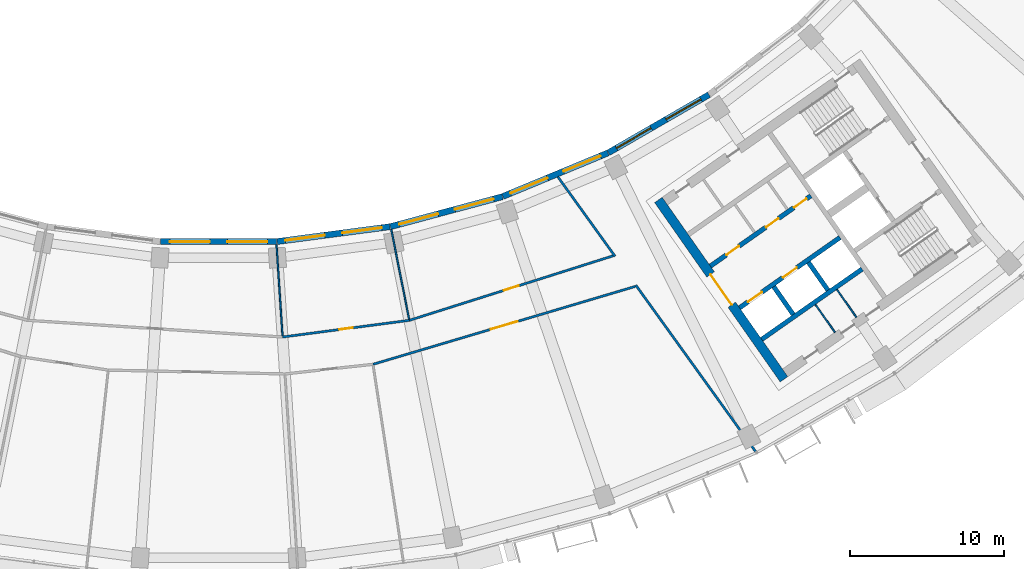
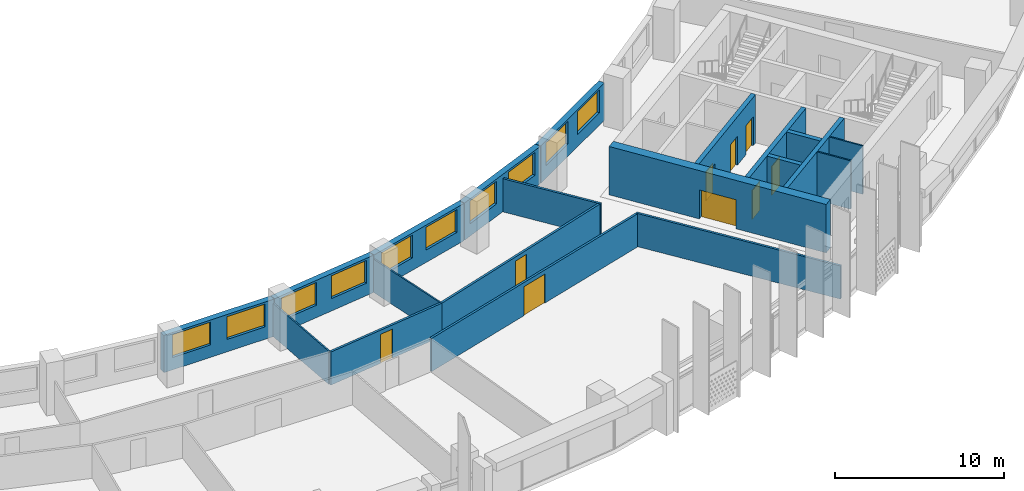
# One storey, part 6 of 27: 20 walls, 10 windows, 9 doors, 19 openings.
"""IFC4 building model written with IfcOpenShell, lengths in metres."""

import ifcopenshell
import ifcopenshell.guid

model = None  # the IFC model being written
_history = None  # IfcOwnerHistory: only IFC2X3 demands one
_inside = {}  # id of a spatial element -> (the spatial element, [elements in it])
_under = {}  # id of a project, library or spatial element -> (it, [spatial elements below it])
_declared = {}  # id of a project -> (the project, [libraries it declares])
_typed = {}  # id of a type object -> (the type object, [elements of that type])
_made_of = {}  # id of a material, layer set ... -> (it, [elements and type objects made of it])


def new_model(schema):
    """Start an empty IFC model of exactly this schema.

    Asked for "IFC4X3", IfcOpenShell would pick the latest addendum, in which some entities
    have other attributes; the version numbers below select the first issue.
    IFC2X3 requires an IfcOwnerHistory on every rooted entity: one is made here for all.
    """
    global model, _history
    if schema == "IFC4X3":
        model = ifcopenshell.file(schema_version=(4, 3, 0, 0))
    else:
        model = ifcopenshell.file(schema=schema)
    _inside.clear()
    _under.clear()
    _declared.clear()
    _typed.clear()
    _made_of.clear()
    _history = None
    if model.schema == "IFC2X3":
        org = make("IfcOrganization", Name="unknown")
        user = make(
            "IfcPersonAndOrganization",
            ThePerson=make("IfcPerson", FamilyName="unknown"),
            TheOrganization=org,
        )
        app = make(
            "IfcApplication",
            ApplicationDeveloper=org,
            Version="unknown",
            ApplicationFullName="unknown",
            ApplicationIdentifier="unknown",
        )
        _history = make(
            "IfcOwnerHistory",
            OwningUser=user,
            OwningApplication=app,
            ChangeAction="ADDED",
            CreationDate=0,
        )
    return model


def make(cls, **values):
    """One entity of the class cls with the attributes given. An attribute that is None is left unset."""
    return model.create_entity(
        cls, **{name: value for name, value in values.items() if value is not None}
    )


def rooted(cls, **values):
    """An entity with a GlobalId (a new one), such as an element, a storey or a relation."""
    return make(cls, GlobalId=ifcopenshell.guid.new(), OwnerHistory=_history, **values)


def si_unit(unit_type, name, prefix=None):
    """IfcSIUnit, for example si_unit("LENGTHUNIT", "METRE", prefix="MILLI")."""
    return make("IfcSIUnit", UnitType=unit_type, Prefix=prefix, Name=name)


def assignment(units):
    """IfcUnitAssignment: the units of a project."""
    return None if units is None else make("IfcUnitAssignment", Units=units)


def point(xyz):
    """IfcCartesianPoint."""
    return None if xyz is None else make("IfcCartesianPoint", Coordinates=xyz)


def direction(xyz):
    """IfcDirection."""
    return None if xyz is None else make("IfcDirection", DirectionRatios=xyz)


def frame(location, z_axis=None, x_axis=None):
    """IfcAxis2Placement3D, a coordinate frame: its origin and axes. An axis left out is left unset."""
    return make(
        "IfcAxis2Placement3D",
        Location=point(location),
        Axis=direction(z_axis),
        RefDirection=direction(x_axis),
    )


def frame_2d(location, x_axis=None):
    """IfcAxis2Placement2D, a coordinate frame in the plane: its origin and x axis."""
    return make(
        "IfcAxis2Placement2D", Location=point(location), RefDirection=direction(x_axis)
    )


def origin():
    """The frame at (0, 0, 0) with its axes left unset."""
    return frame((0.0, 0.0, 0.0))


def place(relative_to, where):
    """IfcLocalPlacement: puts the frame where relative to a parent placement (None: the world)."""
    return make(
        "IfcLocalPlacement", PlacementRelTo=relative_to, RelativePlacement=where
    )


def context(
    kind, dimensions, precision=None, world=None, true_north=None, identifier=None
):
    """IfcGeometricRepresentationContext, for example the 3D "Model" context."""
    return make(
        "IfcGeometricRepresentationContext",
        ContextIdentifier=identifier,
        ContextType=kind,
        CoordinateSpaceDimension=dimensions,
        Precision=precision,
        WorldCoordinateSystem=world,
        TrueNorth=true_north,
    )


def subcontext(parent, identifier, kind, view, scale=None):
    """IfcGeometricRepresentationSubContext, for example "Body" below "Model"."""
    return make(
        "IfcGeometricRepresentationSubContext",
        ContextIdentifier=identifier,
        ContextType=kind,
        ParentContext=parent,
        TargetScale=scale,
        TargetView=view,
    )


def project(units=None, contexts=None):
    """IfcProject with its units and contexts."""
    return rooted(
        "IfcProject",
        Name="project",
        RepresentationContexts=contexts,
        UnitsInContext=assignment(units),
    )


def spatial(cls, under=None, at=None, **own):
    """A site, building, storey or space (cls), placed at a placement, below another one or the project."""
    s = rooted(cls, ObjectPlacement=at, **own)
    if under is not None:
        _under.setdefault(under.id(), (under, []))[1].append(s)
    return s


def profile(cls, at=None, kind="AREA", **sizes):
    """A parametric profile (cls). Its sizes go by their IFC names, for example OverallWidth=200.0."""
    return make(cls, ProfileType=kind, Position=at, **sizes)


def rectangle(**sizes):
    """IfcRectangleProfileDef."""
    return profile("IfcRectangleProfileDef", **sizes)


def extrude(swept, where, along, depth):
    """IfcExtrudedAreaSolid: the profile swept, set in the frame where, extruded along a direction by depth."""
    return make(
        "IfcExtrudedAreaSolid",
        SweptArea=swept,
        Position=where,
        ExtrudedDirection=direction(along),
        Depth=depth,
    )


def shape(context_of_items, identifier, shape_type, items):
    """IfcShapeRepresentation: the items that make up one representation, for example the "Body"."""
    return make(
        "IfcShapeRepresentation",
        ContextOfItems=context_of_items,
        RepresentationIdentifier=identifier,
        RepresentationType=shape_type,
        Items=items,
    )


def material(Name=None, Category=None):
    """IfcMaterial."""
    return make("IfcMaterial", Name=Name, Category=Category)


def layer(
    of_material, thickness, ventilated=None, Name=None, Category=None, Priority=None
):
    """IfcMaterialLayer: one layer of a wall or slab, of a material (None: an air gap)."""
    return make(
        "IfcMaterialLayer",
        Material=of_material,
        LayerThickness=thickness,
        IsVentilated=ventilated,
        Name=Name,
        Category=Category,
        Priority=Priority,
    )


def layer_set(layers, Name=None):
    """IfcMaterialLayerSet."""
    return make("IfcMaterialLayerSet", MaterialLayers=layers, LayerSetName=Name)


def made_of(thing, what):
    """Note that an element or type object is made of a material, layer set ...; save() writes the relation."""
    if what is not None:
        _made_of.setdefault(what.id(), (what, []))[1].append(thing)
    return thing


def type_object(cls, material=None, **own):
    """A type object (cls), such as IfcWallType, which elements share."""
    return made_of(rooted(cls, **own), material)


def element(
    cls,
    number,
    at=None,
    inside=None,
    cuts=None,
    type_object=None,
    material=None,
    context=None,
    identifier="Body",
    shape_type=None,
    held_by="IfcProductDefinitionShape",
    body=None,
    shapes=None,
    **own,
):
    """One element of the class cls, such as IfcWall. Its Tag is "e" and its number.

    at: its placement. inside: the storey or other place that contains it. cuts: it is an
    opening in that element (IfcRelVoidsElement). A single representation is given by context,
    identifier, shape_type and body (its items); several are given by shapes. held_by: the class
    of the entity that holds the representations. save() writes the other relations.
    """
    e = rooted(cls, Tag="e%d" % number, ObjectPlacement=at, **own)
    if body is not None:
        shapes = [shape(context, identifier, shape_type, body)]
    if shapes is not None:
        e.Representation = make(held_by, Representations=shapes)
    if inside is not None:
        _inside.setdefault(inside.id(), (inside, []))[1].append(e)
    if cuts is not None:
        rooted(
            "IfcRelVoidsElement", RelatingBuildingElement=cuts, RelatedOpeningElement=e
        )
    if type_object is not None:
        _typed.setdefault(type_object.id(), (type_object, []))[1].append(e)
    return made_of(e, material)


def fill(opening, filler):
    """IfcRelFillsElement: the door or window that sits in an opening."""
    return rooted(
        "IfcRelFillsElement",
        RelatingOpeningElement=opening,
        RelatedBuildingElement=filler,
    )


def aggregate(whole, parts):
    """IfcRelAggregates: a whole, such as a stair, and the parts it consists of."""
    return rooted("IfcRelAggregates", RelatingObject=whole, RelatedObjects=parts)


def save(model, path):
    """Write the relations noted so far, then the file.

    IfcRelAggregates (storeys below a building ...), IfcRelContainedInSpatialStructure (elements
    in a storey), IfcRelDefinesByType, IfcRelAssociatesMaterial and IfcRelDeclares: one each for
    every whole, place, type object, material and project.
    """
    for whole, parts in _under.values():
        aggregate(whole, parts)
    for where, things in _inside.values():
        rooted(
            "IfcRelContainedInSpatialStructure",
            RelatedElements=things,
            RelatingStructure=where,
        )
    for kind, things in _typed.values():
        rooted("IfcRelDefinesByType", RelatedObjects=things, RelatingType=kind)
    for what, things in _made_of.values():
        rooted("IfcRelAssociatesMaterial", RelatedObjects=things, RelatingMaterial=what)
    for by, libraries in _declared.values():
        rooted("IfcRelDeclares", RelatingContext=by, RelatedDefinitions=libraries)
    model.write(path)


model = new_model("IFC4")

# Units and contexts
model_context = context("Model", 3, precision=1e-05, world=origin(), true_north=direction((0.0, 1.0)))
body_context = subcontext(model_context, "Body", "Model", "MODEL_VIEW")
ifc_project = project(units=[si_unit("LENGTHUNIT", "METRE"), si_unit("AREAUNIT", "SQUARE_METRE"), si_unit("VOLUMEUNIT", "CUBIC_METRE"), si_unit("PLANEANGLEUNIT", "RADIAN"), si_unit("MASSUNIT", "GRAM", prefix="KILO")], contexts=[model_context])

# Site, building, storey
site_placement = place(None, origin())
site = spatial("IfcSite", under=ifc_project, at=site_placement, CompositionType="ELEMENT")
building_placement = place(site_placement, origin())
building = spatial("IfcBuilding", under=site, at=building_placement, Name="Qamariyya Broadcast Tower", CompositionType="ELEMENT")
storey_placement = place(building_placement, frame((0.0, 0.0, 187.300048828125)))
storey = spatial("IfcBuildingStorey", under=building, at=storey_placement, Name="L44", CompositionType="ELEMENT", Elevation=187.300048828125)

# Wall, opening, door
ifc_material_1 = material(Name="Concrete C60/75", Category="concrete")
ifc_layer_1 = layer(ifc_material_1, 0.60009765625)
ifc_layer_set_1 = layer_set([ifc_layer_1], Name="Core wall 600 mm Concrete C60/75")
wall_type_1 = type_object("IfcWallType", Name="Core wall 600 mm Concrete C60/75", PredefinedType="SHEAR", material=ifc_layer_set_1)
wall_1_placement = place(storey_placement, frame((36.66748046875, -66.005126953125, 0.0), z_axis=(0.0, 0.0, 1.0), x_axis=(-0.573568499524, 0.819157601658, 0.0)))
wall_1 = element("IfcWall", 1, at=wall_1_placement, inside=storey, type_object=wall_type_1, Name="k-E-L44-WA", PredefinedType="SHEAR", context=body_context, shape_type="SweptSolid", body=[
    extrude(rectangle(XDim=14.19970703125, YDim=0.60009765625, at=frame_2d((7.099853515625, 0.0))), origin(), (0.0, 0.0, 1.0), 3.5),
])
opening_1_placement = place(wall_1_placement, frame((5.89990234375, 0.0, 0.0)))
opening_1 = element("IfcOpeningElement", 2, at=opening_1_placement, cuts=wall_1, Name="Opening KD3-E1", PredefinedType="OPENING", context=body_context, shape_type="SweptSolid", body=[
    extrude(rectangle(XDim=2.39990234375, YDim=2.10009765625, at=frame_2d((1.199951171875, 1.050048828125))), frame((0.0, 0.31005859375, 0.0), z_axis=(0.0, -1.0, 0.0), x_axis=(1.0, 0.0, 0.0)), (0.0, 0.0, 1.0), 0.6201171875),
])
ifc_material_2 = material(Name="Steel fire-resisting door leaf", Category="steel")
door_type_1 = type_object("IfcDoorType", Name="Lift lobby door KD3", OperationType="DOUBLE_DOOR_SINGLE_SWING", PredefinedType="DOOR", material=ifc_material_2)
door_1_placement = place(opening_1_placement, origin())
door_1 = element("IfcDoor", 3, at=door_1_placement, inside=storey, type_object=door_type_1, Name="k-E-L44-WA-D1", OperationType="DOUBLE_DOOR_SINGLE_SWING", OverallHeight=2.10009765625, OverallWidth=2.39990234375, PredefinedType="DOOR", context=body_context, shape_type="SweptSolid", body=[
    extrude(rectangle(XDim=2.39990234375, YDim=2.10009765625, at=frame_2d((1.199951171875, 1.050048828125))), frame((0.0, 0.02490234375, 0.0), z_axis=(0.0, -1.0, 0.0), x_axis=(1.0, 0.0, 0.0)), (0.0, 0.0, 1.0), 0.050048828125),
])
fill(opening_1, door_1)

ifc_material_3 = material(Name="Gypsum board partition")
ifc_layer_2 = layer(ifc_material_3, 0.14990234375)
ifc_layer_set_2 = layer_set([ifc_layer_2], Name="Corridor partition 150 EI 60")
wall_type_2 = type_object("IfcWallType", Name="Corridor partition 150 EI 60", PredefinedType="PARTITIONING", material=ifc_layer_set_2)
wall_2_placement = place(storey_placement, frame((4.146484375, -63.26416015625, 0.0), z_axis=(0.0, 0.0, 1.0), x_axis=(0.991447881484, 0.130503250152, 0.0)))
wall_2 = element("IfcWall", 4, at=wall_2_placement, inside=storey, type_object=wall_type_2, Name="Partition L44-015", PredefinedType="PARTITIONING", context=body_context, shape_type="SweptSolid", body=[
    extrude(rectangle(XDim=8.293212890625, YDim=0.14990234375, at=frame_2d((4.146484375, 0.0))), origin(), (0.0, 0.0, 1.0), 2.39990234375),
])
opening_2_placement = place(wall_2_placement, frame((3.696533203125, 0.0, 0.0)))
opening_2 = element("IfcOpeningElement", 5, at=opening_2_placement, cuts=wall_2, Name="Opening L44-D09", PredefinedType="OPENING", context=body_context, shape_type="SweptSolid", body=[
    extrude(rectangle(XDim=0.89990234375, YDim=2.10009765625, at=frame_2d((0.449951171875, 1.050048828125))), frame((0.0, 0.0849609375, 0.0), z_axis=(0.0, -1.0, 0.0), x_axis=(1.0, 0.0, 0.0)), (0.0, 0.0, 1.0), 0.169921875),
])
ifc_material_4 = material(Name="Timber fire door leaf", Category="wood")
door_type_2 = type_object("IfcDoorType", Name="Fire door 900 x 2100 FD60", OperationType="NOTDEFINED", PredefinedType="DOOR", material=ifc_material_4)
door_2_placement = place(opening_2_placement, origin())
door_2 = element("IfcDoor", 6, at=door_2_placement, inside=storey, type_object=door_type_2, Name="Door L44-D09", OperationType="SINGLE_SWING_RIGHT", OverallHeight=2.10009765625, OverallWidth=0.89990234375, PredefinedType="DOOR", context=body_context, shape_type="SweptSolid", body=[
    extrude(rectangle(XDim=0.89990234375, YDim=2.10009765625, at=frame_2d((0.449951171875, 1.050048828125))), frame((0.0, 0.02490234375, 0.0), z_axis=(0.0, -1.0, 0.0), x_axis=(1.0, 0.0, 0.0)), (0.0, 0.0, 1.0), 0.050048828125),
])
fill(opening_2, door_2)

wall_3_placement = place(storey_placement, frame((27.02880859375, -59.981201171875, 0.0), z_axis=(0.0, 0.0, 1.0), x_axis=(-0.958635901926, -0.284635218373, 0.0)))
wall_3 = element("IfcWall", 7, at=wall_3_placement, inside=storey, type_object=wall_type_2, Name="Partition L44-018", PredefinedType="PARTITIONING", context=body_context, shape_type="SweptSolid", body=[
    extrude(rectangle(XDim=17.751708984375, YDim=0.14990234375, at=frame_2d((8.8759765625, 0.0))), origin(), (0.0, 0.0, 1.0), 2.39990234375),
])
opening_3_placement = place(wall_3_placement, frame((7.975830078125, 0.0, 0.0)))
opening_3 = element("IfcOpeningElement", 8, at=opening_3_placement, cuts=wall_3, Name="Opening L44-D05", PredefinedType="OPENING", context=body_context, shape_type="SweptSolid", body=[
    extrude(rectangle(XDim=1.800048828125, YDim=2.10009765625, at=frame_2d((0.89990234375, 1.050048828125))), frame((0.0, 0.0849609375, 0.0), z_axis=(0.0, -1.0, 0.0), x_axis=(1.0, 0.0, 0.0)), (0.0, 0.0, 1.0), 0.169921875),
])
door_type_3 = type_object("IfcDoorType", Name="Double fire door 1800 x 2100 FD60", OperationType="NOTDEFINED", PredefinedType="DOOR", material=ifc_material_4)
door_3_placement = place(opening_3_placement, origin())
door_3 = element("IfcDoor", 9, at=door_3_placement, inside=storey, type_object=door_type_3, Name="Door L44-D05", OperationType="DOUBLE_DOOR_SINGLE_SWING", OverallHeight=2.10009765625, OverallWidth=1.800048828125, PredefinedType="DOOR", context=body_context, shape_type="SweptSolid", body=[
    extrude(rectangle(XDim=1.800048828125, YDim=2.10009765625, at=frame_2d((0.89990234375, 1.050048828125))), frame((0.0, 0.02490234375, 0.0), z_axis=(0.0, -1.0, 0.0), x_axis=(1.0, 0.0, 0.0)), (0.0, 0.0, 1.0), 0.050048828125),
])
fill(opening_3, door_3)

wall_4_placement = place(storey_placement, frame((12.36865234375, -62.181884765625, 0.0), z_axis=(0.0, 0.0, 1.0), x_axis=(0.953361971867, 0.301829340187, 0.0)))
wall_4 = element("IfcWall", 10, at=wall_4_placement, inside=storey, type_object=wall_type_2, Name="Partition L44-021", PredefinedType="PARTITIONING", context=body_context, shape_type="SweptSolid", body=[
    extrude(rectangle(XDim=13.876220703125, YDim=0.14990234375, at=frame_2d((6.93798828125, 0.0))), origin(), (0.0, 0.0, 1.0), 2.39990234375),
])
opening_4_placement = place(wall_4_placement, frame((6.43798828125, 0.0, 0.0)))
opening_4 = element("IfcOpeningElement", 11, at=opening_4_placement, cuts=wall_4, Name="Opening L44-D10", PredefinedType="OPENING", context=body_context, shape_type="SweptSolid", body=[
    extrude(rectangle(XDim=1.0, YDim=2.10009765625, at=frame_2d((0.5, 1.050048828125))), frame((0.0, 0.0849609375, 0.0), z_axis=(0.0, -1.0, 0.0), x_axis=(1.0, 0.0, 0.0)), (0.0, 0.0, 1.0), 0.169921875),
])
door_type_4 = type_object("IfcDoorType", Name="Fire door 1000 x 2100 FD60", OperationType="NOTDEFINED", PredefinedType="DOOR", material=ifc_material_4)
door_4_placement = place(opening_4_placement, origin())
door_4 = element("IfcDoor", 12, at=door_4_placement, inside=storey, type_object=door_type_4, Name="Door L44-D10", OperationType="SINGLE_SWING_RIGHT", OverallHeight=2.10009765625, OverallWidth=1.0, PredefinedType="DOOR", context=body_context, shape_type="SweptSolid", body=[
    extrude(rectangle(XDim=1.0, YDim=2.10009765625, at=frame_2d((0.5, 1.050048828125))), frame((0.0, 0.02490234375, 0.0), z_axis=(0.0, -1.0, 0.0), x_axis=(1.0, 0.0, 0.0)), (0.0, 0.0, 1.0), 0.050048828125),
])
fill(opening_4, door_4)

# Walls
wall_5_placement = place(storey_placement, frame((22.0, -52.873046875, 0.0), z_axis=(0.0, 0.0, 1.0), x_axis=(0.58417014289, -0.811631224236, 0.0)))
element("IfcWall", 13, at=wall_5_placement, inside=storey, type_object=wall_type_2, Name="Partition L44-022", PredefinedType="PARTITIONING", context=body_context, shape_type="SweptSolid", body=[
    extrude(rectangle(XDim=6.356201171875, YDim=0.14990234375, at=frame_2d((3.17822265625, 0.0))), origin(), (0.0, 0.0, 1.0), 2.39990234375),
])
wall_6_placement = place(storey_placement, frame((27.056884765625, -59.899169921875, 0.0), z_axis=(0.0, 0.0, 1.0), x_axis=(0.584166374063, -0.81163393683, 0.0)))
element("IfcWall", 14, at=wall_6_placement, inside=storey, type_object=wall_type_2, Name="Partition L44-023", PredefinedType="PARTITIONING", context=body_context, shape_type="SweptSolid", body=[
    extrude(rectangle(XDim=13.296142578125, YDim=0.14990234375, at=frame_2d((6.64794921875, 0.0))), origin(), (0.0, 0.0, 1.0), 2.39990234375),
])

# Wall, openings, doors
ifc_layer_3 = layer(ifc_material_1, 0.300048828125)
ifc_layer_set_3 = layer_set([ifc_layer_3], Name="Lift shaft wall 300 mm Concrete C60/75")
wall_type_3 = type_object("IfcWallType", Name="Lift shaft wall 300 mm Concrete C60/75", PredefinedType="SOLIDWALL", material=ifc_layer_set_3)
wall_7_placement = place(storey_placement, frame((31.89453125, -58.66552734375, 0.0), z_axis=(0.0, 0.0, 1.0), x_axis=(0.819166993208, 0.573555086491, 0.0)))
wall_7 = element("IfcWall", 15, at=wall_7_placement, inside=storey, type_object=wall_type_3, Name="k-E-L44-NF0", PredefinedType="SOLIDWALL", context=body_context, shape_type="SweptSolid", body=[
    extrude(rectangle(XDim=7.9501953125, YDim=0.300048828125, at=frame_2d((3.97509765625, 0.0))), origin(), (0.0, 0.0, 1.0), 3.5),
])
opening_5_placement = place(wall_7_placement, frame((1.262451171875, 0.0, 0.0)))
opening_5 = element("IfcOpeningElement", 16, at=opening_5_placement, cuts=wall_7, Name="Opening KD4-E1", PredefinedType="OPENING", context=body_context, shape_type="SweptSolid", body=[
    extrude(rectangle(XDim=1.0, YDim=2.10009765625, at=frame_2d((0.5, 1.050048828125))), frame((0.0, 0.159912109375, 0.0), z_axis=(0.0, -1.0, 0.0), x_axis=(1.0, 0.0, 0.0)), (0.0, 0.0, 1.0), 0.320068359375),
])
opening_6_placement = place(wall_7_placement, frame((4.39990234375, 0.0, 0.0)))
opening_6 = element("IfcOpeningElement", 17, at=opening_6_placement, cuts=wall_7, Name="Opening KD6-E1", PredefinedType="OPENING", context=body_context, shape_type="SweptSolid", body=[
    extrude(rectangle(XDim=1.0, YDim=2.10009765625, at=frame_2d((0.5, 1.050048828125))), frame((0.0, 0.159912109375, 0.0), z_axis=(0.0, -1.0, 0.0), x_axis=(1.0, 0.0, 0.0)), (0.0, 0.0, 1.0), 0.320068359375),
])
opening_7_placement = place(wall_7_placement, frame((6.612548828125, 0.0, 0.0)))
opening_7 = element("IfcOpeningElement", 18, at=opening_7_placement, cuts=wall_7, Name="Opening KD6-E2", PredefinedType="OPENING", context=body_context, shape_type="SweptSolid", body=[
    extrude(rectangle(XDim=1.0, YDim=2.10009765625, at=frame_2d((0.5, 1.050048828125))), frame((0.0, 0.159912109375, 0.0), z_axis=(0.0, -1.0, 0.0), x_axis=(1.0, 0.0, 0.0)), (0.0, 0.0, 1.0), 0.320068359375),
])
door_type_5 = type_object("IfcDoorType", Name="Core room door KD6", OperationType="SINGLE_SWING_LEFT", PredefinedType="DOOR", material=ifc_material_2)
door_5_placement = place(opening_6_placement, origin())
door_5 = element("IfcDoor", 19, at=door_5_placement, inside=storey, type_object=door_type_5, Name="k-E-L44-NF0-D3", OperationType="SINGLE_SWING_LEFT", OverallHeight=2.10009765625, OverallWidth=1.0, PredefinedType="DOOR", context=body_context, shape_type="SweptSolid", body=[
    extrude(rectangle(XDim=1.0, YDim=2.10009765625, at=frame_2d((0.5, 1.050048828125))), frame((0.0, 0.02490234375, 0.0), z_axis=(0.0, -1.0, 0.0), x_axis=(1.0, 0.0, 0.0)), (0.0, 0.0, 1.0), 0.050048828125),
])
fill(opening_6, door_5)
door_6_placement = place(opening_7_placement, origin())
door_6 = element("IfcDoor", 20, at=door_6_placement, inside=storey, type_object=door_type_5, Name="k-E-L44-NF0-D4", OperationType="SINGLE_SWING_RIGHT", OverallHeight=2.10009765625, OverallWidth=1.0, PredefinedType="DOOR", context=body_context, shape_type="SweptSolid", body=[
    extrude(rectangle(XDim=1.0, YDim=2.10009765625, at=frame_2d((0.5, 1.050048828125))), frame((0.0, 0.02490234375, 0.0), z_axis=(0.0, -1.0, 0.0), x_axis=(1.0, 0.0, 0.0)), (0.0, 0.0, 1.0), 0.050048828125),
])
fill(opening_7, door_6)
door_type_6 = type_object("IfcDoorType", Name="Riser and plant door KD4", OperationType="SINGLE_SWING_LEFT", PredefinedType="DOOR", material=ifc_material_2)
door_7_placement = place(opening_5_placement, origin())
door_7 = element("IfcDoor", 21, at=door_7_placement, inside=storey, type_object=door_type_6, Name="k-E-L44-NF0-D2", OperationType="SINGLE_SWING_RIGHT", OverallHeight=2.10009765625, OverallWidth=1.0, PredefinedType="DOOR", context=body_context, shape_type="SweptSolid", body=[
    extrude(rectangle(XDim=1.0, YDim=2.10009765625, at=frame_2d((0.5, 1.050048828125))), frame((0.0, 0.02490234375, 0.0), z_axis=(0.0, -1.0, 0.0), x_axis=(1.0, 0.0, 0.0)), (0.0, 0.0, 1.0), 0.050048828125),
])
fill(opening_5, door_7)

wall_8_placement = place(storey_placement, frame((33.787353515625, -61.368896484375, 0.0), z_axis=(0.0, 0.0, 1.0), x_axis=(0.819152564888, 0.573575692858, 0.0)))
wall_8 = element("IfcWall", 22, at=wall_8_placement, inside=storey, type_object=wall_type_3, Name="k-E-L44-SF0", PredefinedType="SOLIDWALL", context=body_context, shape_type="SweptSolid", body=[
    extrude(rectangle(XDim=7.9501953125, YDim=0.300048828125, at=frame_2d((3.97509765625, 0.0))), origin(), (0.0, 0.0, 1.0), 3.5),
])
opening_8_placement = place(wall_8_placement, frame((0.675048828125, 0.0, 0.0)))
opening_8 = element("IfcOpeningElement", 23, at=opening_8_placement, cuts=wall_8, Name="Opening LD", PredefinedType="OPENING", context=body_context, shape_type="SweptSolid", body=[
    extrude(rectangle(XDim=1.10009765625, YDim=2.10009765625, at=frame_2d((0.550048828125, 1.050048828125))), frame((0.0, 0.159912109375, 0.0), z_axis=(0.0, -1.0, 0.0), x_axis=(1.0, 0.0, 0.0)), (0.0, 0.0, 1.0), 0.320068359375),
])
opening_9_placement = place(wall_8_placement, frame((3.425048828125, 0.0, 0.0)))
opening_9 = element("IfcOpeningElement", 24, at=opening_9_placement, cuts=wall_8, Name="Opening LD", PredefinedType="OPENING", context=body_context, shape_type="SweptSolid", body=[
    extrude(rectangle(XDim=1.10009765625, YDim=2.10009765625, at=frame_2d((0.550048828125, 1.050048828125))), frame((0.0, 0.159912109375, 0.0), z_axis=(0.0, -1.0, 0.0), x_axis=(1.0, 0.0, 0.0)), (0.0, 0.0, 1.0), 0.320068359375),
])
door_type_7 = type_object("IfcDoorType", Name="Lift landing door LD", OperationType="DOUBLE_DOOR_SLIDING", PredefinedType="DOOR", material=ifc_material_2)
door_8_placement = place(opening_8_placement, origin())
door_8 = element("IfcDoor", 25, at=door_8_placement, inside=storey, type_object=door_type_7, Name="k-E-L44-SF0-D5", OperationType="DOUBLE_DOOR_SLIDING", OverallHeight=2.10009765625, OverallWidth=1.10009765625, PredefinedType="DOOR", context=body_context, shape_type="SweptSolid", body=[
    extrude(rectangle(XDim=1.10009765625, YDim=2.10009765625, at=frame_2d((0.550048828125, 1.050048828125))), frame((0.0, 0.02490234375, 0.0), z_axis=(0.0, -1.0, 0.0), x_axis=(1.0, 0.0, 0.0)), (0.0, 0.0, 1.0), 0.050048828125),
])
fill(opening_8, door_8)
door_9_placement = place(opening_9_placement, origin())
door_9 = element("IfcDoor", 26, at=door_9_placement, inside=storey, type_object=door_type_7, Name="k-E-L44-SF0-D6", OperationType="DOUBLE_DOOR_SLIDING", OverallHeight=2.10009765625, OverallWidth=1.10009765625, PredefinedType="DOOR", context=body_context, shape_type="SweptSolid", body=[
    extrude(rectangle(XDim=1.10009765625, YDim=2.10009765625, at=frame_2d((0.550048828125, 1.050048828125))), frame((0.0, 0.02490234375, 0.0), z_axis=(0.0, -1.0, 0.0), x_axis=(1.0, 0.0, 0.0)), (0.0, 0.0, 1.0), 0.050048828125),
])
fill(opening_9, door_9)

# Walls
wall_9_placement = place(storey_placement, frame((35.22119140625, -63.41650390625, 0.0), z_axis=(0.0, 0.0, 1.0), x_axis=(0.819166993208, 0.573555086491, 0.0)))
element("IfcWall", 27, at=wall_9_placement, inside=storey, type_object=wall_type_3, Name="k-E-L44-SB0", PredefinedType="SOLIDWALL", context=body_context, shape_type="SweptSolid", body=[
    extrude(rectangle(XDim=7.9501953125, YDim=0.300048828125, at=frame_2d((3.97509765625, 0.0))), origin(), (0.0, 0.0, 1.0), 3.5),
])
wall_10_placement = place(storey_placement, frame((36.003173828125, -60.000244140625, 0.0), z_axis=(0.0, 0.0, 1.0), x_axis=(0.573581496053, -0.819148501424, 0.0)))
element("IfcWall", 28, at=wall_10_placement, inside=storey, type_object=wall_type_3, Name="k-E-L44-SD0", PredefinedType="SOLIDWALL", context=body_context, shape_type="SweptSolid", body=[
    extrude(rectangle(XDim=2.2001953125, YDim=0.300048828125, at=frame_2d((1.10009765625, 0.0))), origin(), (0.0, 0.0, 1.0), 3.5),
])
wall_11_placement = place(storey_placement, frame((38.255859375, -58.423095703125, 0.0), z_axis=(0.0, 0.0, 1.0), x_axis=(0.573633636671, -0.819111989218, 0.0)))
element("IfcWall", 29, at=wall_11_placement, inside=storey, type_object=wall_type_3, Name="k-E-L44-SD1", PredefinedType="SOLIDWALL", context=body_context, shape_type="SweptSolid", body=[
    extrude(rectangle(XDim=2.199951171875, YDim=0.300048828125, at=frame_2d((1.10009765625, 0.0))), origin(), (0.0, 0.0, 1.0), 3.5),
])
ifc_layer_4 = layer(ifc_material_3, 0.10009765625)
ifc_layer_set_4 = layer_set([ifc_layer_4], Name="Partition 100")
wall_type_4 = type_object("IfcWallType", Name="Partition 100", PredefinedType="PARTITIONING", material=ifc_layer_set_4)
wall_12_placement = place(storey_placement, frame((3.754150390625, -57.277099609375, 0.0), z_axis=(0.0, 0.0, 1.0), x_axis=(0.065392214001, -0.997859638601, 0.0)))
element("IfcWall", 30, at=wall_12_placement, inside=storey, type_object=wall_type_4, Name="Partition L44-014", PredefinedType="PARTITIONING", context=body_context, shape_type="SweptSolid", body=[
    extrude(rectangle(XDim=5.925048828125, YDim=0.10009765625, at=frame_2d((2.96240234375, 0.0))), origin(), (0.0, 0.0, 1.0), 2.39990234375),
])
wall_13_placement = place(storey_placement, frame((11.1982421875, -56.297119140625, 0.0), z_axis=(0.0, 0.0, 1.0), x_axis=(0.195070020718, -0.980789318364, 0.0)))
element("IfcWall", 31, at=wall_13_placement, inside=storey, type_object=wall_type_4, Name="Partition L44-019", PredefinedType="PARTITIONING", context=body_context, shape_type="SweptSolid", body=[
    extrude(rectangle(XDim=5.9248046875, YDim=0.10009765625, at=frame_2d((2.96240234375, 0.0))), origin(), (0.0, 0.0, 1.0), 2.39990234375),
])
ifc_material_5 = material(Name="Fire-rated gypsum shaft liner on steel studs", Category="steel")
ifc_layer_5 = layer(ifc_material_5, 0.10009765625)
ifc_layer_set_5 = layer_set([ifc_layer_5], Name="Riser wall 100 mm")
wall_type_5 = type_object("IfcWallType", Name="Riser wall 100 mm", PredefinedType="PLUMBINGWALL", material=ifc_layer_set_5)
for number, where, z_axis, x_axis, name in (
    (32, (38.706787109375, -61.1591796875, 0.0), (0.0, 0.0, 1.0), (0.573633636671, -0.819111989218, 0.0), "k-E-L44-SP415"),
    (33, (40.099365234375, -60.18408203125, 0.0), (0.0, 0.0, 1.0), (0.573633636671, -0.819111989218, 0.0), "k-E-L44-SP585"),
):
    element("IfcWall", number, at=place(storey_placement, frame(where, z_axis=z_axis, x_axis=x_axis)), inside=storey, type_object=wall_type_5, Name=name, PredefinedType="PLUMBINGWALL", context=body_context, shape_type="SweptSolid", body=[
        extrude(rectangle(XDim=2.199951171875, YDim=0.10009765625, at=frame_2d((1.10009765625, 0.0))), origin(), (0.0, 0.0, 1.0), 3.5),
    ])

# Wall, openings, windows
ifc_material_6 = material(Name="Terracotta", Category="masonry")
ifc_layer_6 = layer(ifc_material_6, 0.39990234375)
ifc_layer_set_6 = layer_set([ifc_layer_6], Name="Terracotta clad wall 400")
wall_type_6 = type_object("IfcWallType", Name="Terracotta clad wall 400", PredefinedType="SOLIDWALL", material=ifc_layer_set_6)
wall_14_placement = place(storey_placement, frame((25.252197265625, -51.32080078125, 0.0), z_axis=(0.0, 0.0, 1.0), x_axis=(-0.923867659443, -0.382712095229, 0.0)))
wall_14 = element("IfcWall", 34, at=wall_14_placement, inside=storey, type_object=wall_type_6, Name="e-wl-L44-in100", PredefinedType="SOLIDWALL", context=body_context, shape_type="SweptSolid", body=[
    extrude(rectangle(XDim=7.380859375, YDim=0.39990234375, at=frame_2d((3.6904296875, 0.0))), origin(), (0.0, 0.0, 1.0), 2.699951171875),
])
opening_10_placement = place(wall_14_placement, frame((4.25439453125, 0.0, 0.89990234375)))
opening_10 = element("IfcOpeningElement", 35, at=opening_10_placement, cuts=wall_14, Name="Opening W1", PredefinedType="OPENING", context=body_context, shape_type="SweptSolid", body=[
    extrude(rectangle(XDim=2.60009765625, YDim=1.64990234375, at=frame_2d((1.300048828125, 0.824951171875))), frame((0.0, 0.2099609375, 0.0), z_axis=(0.0, -1.0, 0.0), x_axis=(1.0, 0.0, 0.0)), (0.0, 0.0, 1.0), 0.419921875),
])
opening_11_placement = place(wall_14_placement, frame((0.5263671875, 0.0, 0.89990234375)))
opening_11 = element("IfcOpeningElement", 36, at=opening_11_placement, cuts=wall_14, Name="Opening W1", PredefinedType="OPENING", context=body_context, shape_type="SweptSolid", body=[
    extrude(rectangle(XDim=2.60009765625, YDim=1.64990234375, at=frame_2d((1.300048828125, 0.824951171875))), frame((0.0, 0.2099609375, 0.0), z_axis=(0.0, -1.0, 0.0), x_axis=(1.0, 0.0, 0.0)), (0.0, 0.0, 1.0), 0.419921875),
])
ifc_material_7 = material(Name="Clear low-e double glazed unit in aluminium frame", Category="aluminium")
window_type = type_object("IfcWindowType", Name="Ribbon window 2600 x 1650", PartitioningType="SINGLE_PANEL", PredefinedType="WINDOW", material=ifc_material_7)
window_1_placement = place(opening_10_placement, origin())
window_1 = element("IfcWindow", 37, at=window_1_placement, inside=storey, type_object=window_type, Name="e-w-L44-in10-0", OverallHeight=1.64990234375, OverallWidth=2.60009765625, PartitioningType="SINGLE_PANEL", PredefinedType="WINDOW", context=body_context, shape_type="SweptSolid", body=[
    extrude(rectangle(XDim=2.60009765625, YDim=1.64990234375, at=frame_2d((1.300048828125, 0.824951171875))), frame((0.0, 0.030029296875, 0.0), z_axis=(0.0, -1.0, 0.0), x_axis=(1.0, 0.0, 0.0)), (0.0, 0.0, 1.0), 0.06005859375),
])
fill(opening_10, window_1)
window_2_placement = place(opening_11_placement, origin())
window_2 = element("IfcWindow", 38, at=window_2_placement, inside=storey, type_object=window_type, Name="e-w-L44-in10-1", OverallHeight=1.64990234375, OverallWidth=2.60009765625, PartitioningType="SINGLE_PANEL", PredefinedType="WINDOW", context=body_context, shape_type="SweptSolid", body=[
    extrude(rectangle(XDim=2.60009765625, YDim=1.64990234375, at=frame_2d((1.300048828125, 0.824951171875))), frame((0.0, 0.030029296875, 0.0), z_axis=(0.0, -1.0, 0.0), x_axis=(1.0, 0.0, 0.0)), (0.0, 0.0, 1.0), 0.06005859375),
])
fill(opening_11, window_2)

wall_15_placement = place(storey_placement, frame((31.800537109375, -47.5478515625, 0.0), z_axis=(0.0, 0.0, 1.0), x_axis=(-0.866028517328, -0.499994607145, 0.0)))
wall_15 = element("IfcWall", 39, at=wall_15_placement, inside=storey, type_object=wall_type_6, Name="e-wl-L44-in110", PredefinedType="SOLIDWALL", context=body_context, shape_type="SweptSolid", body=[
    extrude(rectangle(XDim=7.5322265625, YDim=0.39990234375, at=frame_2d((3.76611328125, 0.0))), origin(), (0.0, 0.0, 1.0), 2.699951171875),
])
opening_12_placement = place(wall_15_placement, frame((4.330078125, 0.0, 0.89990234375)))
opening_12 = element("IfcOpeningElement", 40, at=opening_12_placement, cuts=wall_15, Name="Opening W1", PredefinedType="OPENING", context=body_context, shape_type="SweptSolid", body=[
    extrude(rectangle(XDim=2.60009765625, YDim=1.64990234375, at=frame_2d((1.300048828125, 0.824951171875))), frame((0.0, 0.2099609375, 0.0), z_axis=(0.0, -1.0, 0.0), x_axis=(1.0, 0.0, 0.0)), (0.0, 0.0, 1.0), 0.419921875),
])
opening_13_placement = place(wall_15_placement, frame((0.60205078125, 0.0, 0.89990234375)))
opening_13 = element("IfcOpeningElement", 41, at=opening_13_placement, cuts=wall_15, Name="Opening W1", PredefinedType="OPENING", context=body_context, shape_type="SweptSolid", body=[
    extrude(rectangle(XDim=2.60009765625, YDim=1.64990234375, at=frame_2d((1.300048828125, 0.824951171875))), frame((0.0, 0.2099609375, 0.0), z_axis=(0.0, -1.0, 0.0), x_axis=(1.0, 0.0, 0.0)), (0.0, 0.0, 1.0), 0.419921875),
])
window_3_placement = place(opening_12_placement, origin())
window_3 = element("IfcWindow", 42, at=window_3_placement, inside=storey, type_object=window_type, Name="e-w-L44-in11-0", OverallHeight=1.64990234375, OverallWidth=2.60009765625, PartitioningType="SINGLE_PANEL", PredefinedType="WINDOW", context=body_context, shape_type="SweptSolid", body=[
    extrude(rectangle(XDim=2.60009765625, YDim=1.64990234375, at=frame_2d((1.300048828125, 0.824951171875))), frame((0.0, 0.030029296875, 0.0), z_axis=(0.0, -1.0, 0.0), x_axis=(1.0, 0.0, 0.0)), (0.0, 0.0, 1.0), 0.06005859375),
])
fill(opening_12, window_3)
window_4_placement = place(opening_13_placement, origin())
window_4 = element("IfcWindow", 43, at=window_4_placement, inside=storey, type_object=window_type, Name="e-w-L44-in11-1", OverallHeight=1.64990234375, OverallWidth=2.60009765625, PartitioningType="SINGLE_PANEL", PredefinedType="WINDOW", context=body_context, shape_type="SweptSolid", body=[
    extrude(rectangle(XDim=2.60009765625, YDim=1.64990234375, at=frame_2d((1.300048828125, 0.824951171875))), frame((0.0, 0.030029296875, 0.0), z_axis=(0.0, -1.0, 0.0), x_axis=(1.0, 0.0, 0.0)), (0.0, 0.0, 1.0), 0.06005859375),
])
fill(opening_13, window_4)

wall_16_placement = place(storey_placement, frame((3.76611328125, -57.077880859375, 0.0), z_axis=(0.0, 0.0, 1.0), x_axis=(-1.0, 0.0, 0.0)))
wall_16 = element("IfcWall", 44, at=wall_16_placement, inside=storey, type_object=wall_type_6, Name="e-wl-L44-in70", PredefinedType="SOLIDWALL", context=body_context, shape_type="SweptSolid", body=[
    extrude(rectangle(XDim=7.5322265625, YDim=0.39990234375, at=frame_2d((3.76611328125, 0.0))), origin(), (0.0, 0.0, 1.0), 2.699951171875),
])
opening_14_placement = place(wall_16_placement, frame((4.330078125, 0.0, 0.89990234375)))
opening_14 = element("IfcOpeningElement", 45, at=opening_14_placement, cuts=wall_16, Name="Opening W1", PredefinedType="OPENING", context=body_context, shape_type="SweptSolid", body=[
    extrude(rectangle(XDim=2.60009765625, YDim=1.64990234375, at=frame_2d((1.300048828125, 0.824951171875))), frame((0.0, 0.2099609375, 0.0), z_axis=(0.0, -1.0, 0.0), x_axis=(1.0, 0.0, 0.0)), (0.0, 0.0, 1.0), 0.419921875),
])
opening_15_placement = place(wall_16_placement, frame((0.60205078125, 0.0, 0.89990234375)))
opening_15 = element("IfcOpeningElement", 46, at=opening_15_placement, cuts=wall_16, Name="Opening W1", PredefinedType="OPENING", context=body_context, shape_type="SweptSolid", body=[
    extrude(rectangle(XDim=2.60009765625, YDim=1.64990234375, at=frame_2d((1.300048828125, 0.824951171875))), frame((0.0, 0.2099609375, 0.0), z_axis=(0.0, -1.0, 0.0), x_axis=(1.0, 0.0, 0.0)), (0.0, 0.0, 1.0), 0.419921875),
])
window_5_placement = place(opening_14_placement, origin())
window_5 = element("IfcWindow", 47, at=window_5_placement, inside=storey, type_object=window_type, Name="e-w-L44-in07-0", OverallHeight=1.64990234375, OverallWidth=2.60009765625, PartitioningType="SINGLE_PANEL", PredefinedType="WINDOW", context=body_context, shape_type="SweptSolid", body=[
    extrude(rectangle(XDim=2.60009765625, YDim=1.64990234375, at=frame_2d((1.300048828125, 0.824951171875))), frame((0.0, 0.030029296875, 0.0), z_axis=(0.0, -1.0, 0.0), x_axis=(1.0, 0.0, 0.0)), (0.0, 0.0, 1.0), 0.06005859375),
])
fill(opening_14, window_5)
window_6_placement = place(opening_15_placement, origin())
window_6 = element("IfcWindow", 48, at=window_6_placement, inside=storey, type_object=window_type, Name="e-w-L44-in07-1", OverallHeight=1.64990234375, OverallWidth=2.60009765625, PartitioningType="SINGLE_PANEL", PredefinedType="WINDOW", context=body_context, shape_type="SweptSolid", body=[
    extrude(rectangle(XDim=2.60009765625, YDim=1.64990234375, at=frame_2d((1.300048828125, 0.824951171875))), frame((0.0, 0.030029296875, 0.0), z_axis=(0.0, -1.0, 0.0), x_axis=(1.0, 0.0, 0.0)), (0.0, 0.0, 1.0), 0.06005859375),
])
fill(opening_15, window_6)

wall_17_placement = place(storey_placement, frame((11.10888671875, -56.10791015625, 0.0), z_axis=(0.0, 0.0, 1.0), x_axis=(-0.99144438474, -0.130529812564, 0.0)))
wall_17 = element("IfcWall", 49, at=wall_17_placement, inside=storey, type_object=wall_type_6, Name="e-wl-L44-in80", PredefinedType="SOLIDWALL", context=body_context, shape_type="SweptSolid", body=[
    extrude(rectangle(XDim=7.380615234375, YDim=0.39990234375, at=frame_2d((3.6904296875, 0.0))), origin(), (0.0, 0.0, 1.0), 2.699951171875),
])
opening_16_placement = place(wall_17_placement, frame((4.25439453125, 0.0, 0.89990234375)))
opening_16 = element("IfcOpeningElement", 50, at=opening_16_placement, cuts=wall_17, Name="Opening W1", PredefinedType="OPENING", context=body_context, shape_type="SweptSolid", body=[
    extrude(rectangle(XDim=2.60009765625, YDim=1.64990234375, at=frame_2d((1.300048828125, 0.824951171875))), frame((0.0, 0.2099609375, 0.0), z_axis=(0.0, -1.0, 0.0), x_axis=(1.0, 0.0, 0.0)), (0.0, 0.0, 1.0), 0.419921875),
])
opening_17_placement = place(wall_17_placement, frame((0.5263671875, 0.0, 0.89990234375)))
opening_17 = element("IfcOpeningElement", 51, at=opening_17_placement, cuts=wall_17, Name="Opening W1", PredefinedType="OPENING", context=body_context, shape_type="SweptSolid", body=[
    extrude(rectangle(XDim=2.60009765625, YDim=1.64990234375, at=frame_2d((1.300048828125, 0.824951171875))), frame((0.0, 0.2099609375, 0.0), z_axis=(0.0, -1.0, 0.0), x_axis=(1.0, 0.0, 0.0)), (0.0, 0.0, 1.0), 0.419921875),
])
window_7_placement = place(opening_16_placement, origin())
window_7 = element("IfcWindow", 52, at=window_7_placement, inside=storey, type_object=window_type, Name="e-w-L44-in08-0", OverallHeight=1.64990234375, OverallWidth=2.60009765625, PartitioningType="SINGLE_PANEL", PredefinedType="WINDOW", context=body_context, shape_type="SweptSolid", body=[
    extrude(rectangle(XDim=2.60009765625, YDim=1.64990234375, at=frame_2d((1.300048828125, 0.824951171875))), frame((0.0, 0.030029296875, 0.0), z_axis=(0.0, -1.0, 0.0), x_axis=(1.0, 0.0, 0.0)), (0.0, 0.0, 1.0), 0.06005859375),
])
fill(opening_16, window_7)
window_8_placement = place(opening_17_placement, origin())
window_8 = element("IfcWindow", 53, at=window_8_placement, inside=storey, type_object=window_type, Name="e-w-L44-in08-1", OverallHeight=1.64990234375, OverallWidth=2.60009765625, PartitioningType="SINGLE_PANEL", PredefinedType="WINDOW", context=body_context, shape_type="SweptSolid", body=[
    extrude(rectangle(XDim=2.60009765625, YDim=1.64990234375, at=frame_2d((1.300048828125, 0.824951171875))), frame((0.0, 0.030029296875, 0.0), z_axis=(0.0, -1.0, 0.0), x_axis=(1.0, 0.0, 0.0)), (0.0, 0.0, 1.0), 0.06005859375),
])
fill(opening_17, window_8)

wall_18_placement = place(storey_placement, frame((18.41064453125, -54.158447265625, 0.0), z_axis=(0.0, 0.0, 1.0), x_axis=(-0.965927073219, -0.258814391452, 0.0)))
wall_18 = element("IfcWall", 54, at=wall_18_placement, inside=storey, type_object=wall_type_6, Name="e-wl-L44-in90", PredefinedType="SOLIDWALL", context=body_context, shape_type="SweptSolid", body=[
    extrude(rectangle(XDim=7.5322265625, YDim=0.39990234375, at=frame_2d((3.76611328125, 0.0))), origin(), (0.0, 0.0, 1.0), 2.699951171875),
])
opening_18_placement = place(wall_18_placement, frame((4.330078125, 0.0, 0.89990234375)))
opening_18 = element("IfcOpeningElement", 55, at=opening_18_placement, cuts=wall_18, Name="Opening W1", PredefinedType="OPENING", context=body_context, shape_type="SweptSolid", body=[
    extrude(rectangle(XDim=2.60009765625, YDim=1.64990234375, at=frame_2d((1.300048828125, 0.824951171875))), frame((0.0, 0.2099609375, 0.0), z_axis=(0.0, -1.0, 0.0), x_axis=(1.0, 0.0, 0.0)), (0.0, 0.0, 1.0), 0.419921875),
])
opening_19_placement = place(wall_18_placement, frame((0.60205078125, 0.0, 0.89990234375)))
opening_19 = element("IfcOpeningElement", 56, at=opening_19_placement, cuts=wall_18, Name="Opening W1", PredefinedType="OPENING", context=body_context, shape_type="SweptSolid", body=[
    extrude(rectangle(XDim=2.60009765625, YDim=1.64990234375, at=frame_2d((1.300048828125, 0.824951171875))), frame((0.0, 0.2099609375, 0.0), z_axis=(0.0, -1.0, 0.0), x_axis=(1.0, 0.0, 0.0)), (0.0, 0.0, 1.0), 0.419921875),
])
window_9_placement = place(opening_18_placement, origin())
window_9 = element("IfcWindow", 57, at=window_9_placement, inside=storey, type_object=window_type, Name="e-w-L44-in09-0", OverallHeight=1.64990234375, OverallWidth=2.60009765625, PartitioningType="SINGLE_PANEL", PredefinedType="WINDOW", context=body_context, shape_type="SweptSolid", body=[
    extrude(rectangle(XDim=2.60009765625, YDim=1.64990234375, at=frame_2d((1.300048828125, 0.824951171875))), frame((0.0, 0.030029296875, 0.0), z_axis=(0.0, -1.0, 0.0), x_axis=(1.0, 0.0, 0.0)), (0.0, 0.0, 1.0), 0.06005859375),
])
fill(opening_18, window_9)
window_10_placement = place(opening_19_placement, origin())
window_10 = element("IfcWindow", 58, at=window_10_placement, inside=storey, type_object=window_type, Name="e-w-L44-in09-1", OverallHeight=1.64990234375, OverallWidth=2.60009765625, PartitioningType="SINGLE_PANEL", PredefinedType="WINDOW", context=body_context, shape_type="SweptSolid", body=[
    extrude(rectangle(XDim=2.60009765625, YDim=1.64990234375, at=frame_2d((1.300048828125, 0.824951171875))), frame((0.0, 0.030029296875, 0.0), z_axis=(0.0, -1.0, 0.0), x_axis=(1.0, 0.0, 0.0)), (0.0, 0.0, 1.0), 0.06005859375),
])
fill(opening_19, window_10)

save(model, "model.ifc")
